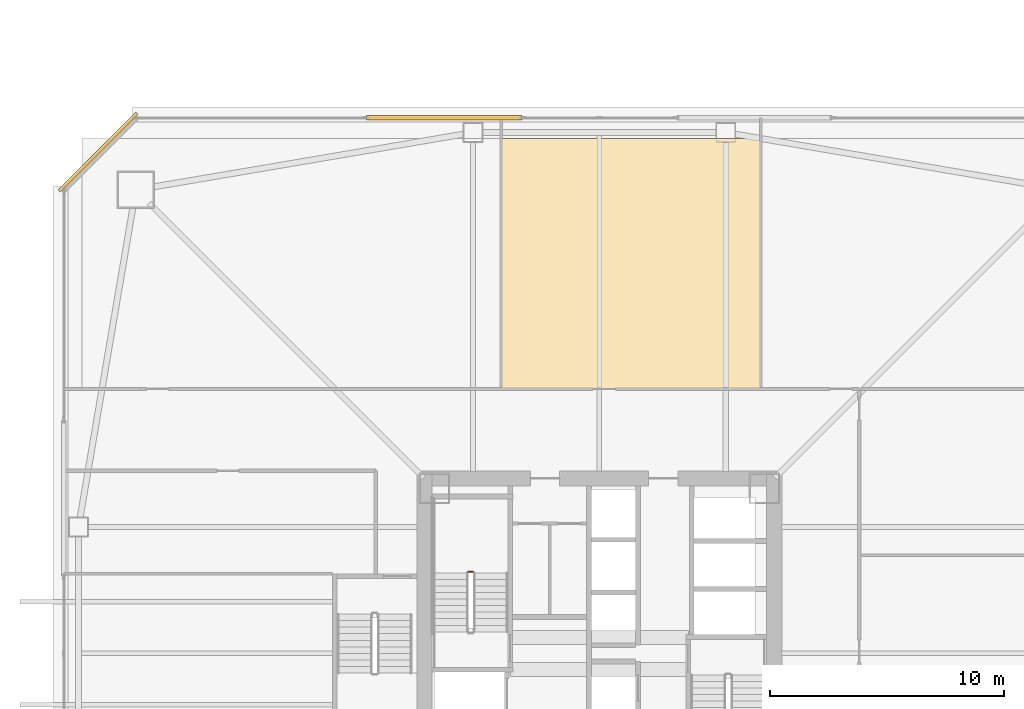
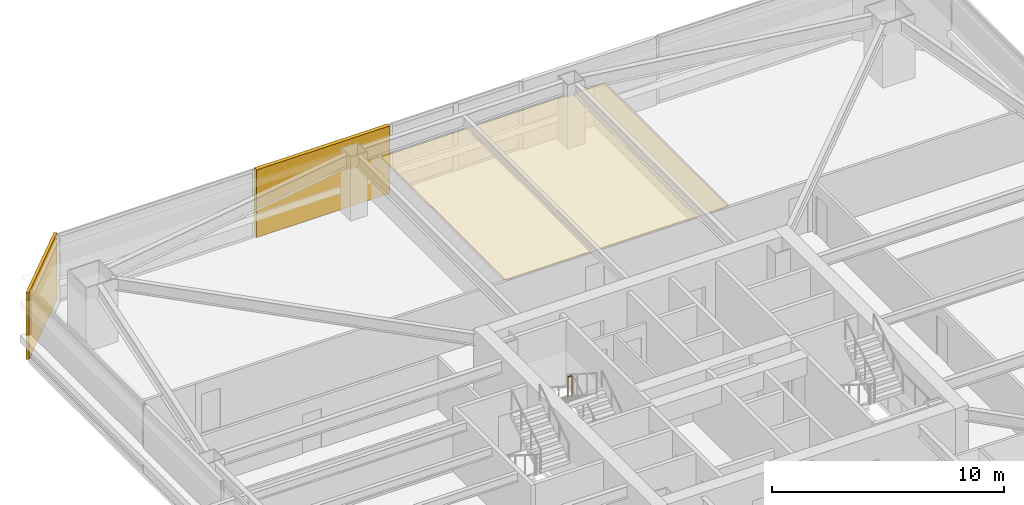
# One storey, part 42 of 46: 3 coverings, 1 railing.
"""IFC4 building model written with IfcOpenShell, lengths in metres."""

from ifc_helpers import new_model, si_unit, direction, frame, origin, origin_2d, place, context, subcontext, project, spatial, polyline, rectangle, outline, extrude, material, layer, layer_set, type_object, element, save


model = new_model("IFC4")

# Units and contexts
model_context = context("Model", 3, precision=1e-05, world=origin(), true_north=direction((0.0, 1.0)))
body_context = subcontext(model_context, "Body", "Model", "MODEL_VIEW")
ifc_project = project(units=[si_unit("LENGTHUNIT", "METRE"), si_unit("AREAUNIT", "SQUARE_METRE"), si_unit("VOLUMEUNIT", "CUBIC_METRE"), si_unit("PLANEANGLEUNIT", "RADIAN"), si_unit("MASSUNIT", "GRAM", prefix="KILO")], contexts=[model_context])

# Site, building, storey
site_placement = place(None, origin())
site = spatial("IfcSite", under=ifc_project, at=site_placement, CompositionType="ELEMENT")
building_placement = place(site_placement, origin())
building = spatial("IfcBuilding", under=site, at=building_placement, Name="Tashvorn Skyway Center", CompositionType="ELEMENT")
storey_placement = place(building_placement, frame((0.0, 0.0, 38.800048828125)))
storey = spatial("IfcBuildingStorey", under=building, at=storey_placement, Name="L09", CompositionType="ELEMENT", Elevation=38.800048828125)

# Coverings
ifc_material_1 = material(Name="Precast concrete C40/50", Category="concrete")
ifc_layer_1 = layer(ifc_material_1, 0.199951171875)
ifc_layer_set_1 = layer_set([ifc_layer_1], Name="Precast concrete C40/50")
covering_type_1 = type_object("IfcCoveringType", Name="COV-BRACE-CLAD", PredefinedType="CLADDING", material=ifc_layer_set_1)
covering_1_placement = place(storey_placement, frame((35.373291015625, 54.8798828125, 0.0), z_axis=(0.0, 0.0, 1.0), x_axis=(1.0, 0.0, 0.0)))
element("IfcCovering", 1, at=covering_1_placement, inside=storey, type_object=covering_type_1, Name="Tower 1 L09 North Unitised Curtain Wall Mega-Brace Cladding Band 1", PredefinedType="CLADDING", context=body_context, shape_type="SweptSolid", body=[
    extrude(rectangle(XDim=6.626708984375, YDim=0.199951171875, at=origin_2d()), origin(), (0.0, 0.0, 1.0), 3.550048828125),
])
ifc_material_2 = material(Name="Mineral-fibre acoustic ceiling tile on suspended grid")
ifc_layer_2 = layer(ifc_material_2, 0.02001953125)
ifc_layer_set_2 = layer_set([ifc_layer_2], Name="Mineral-fibre acoustic ceiling tile on suspended grid")
covering_type_2 = type_object("IfcCoveringType", Name="COV-CEIL-20", PredefinedType="CEILING", material=ifc_layer_set_2)
covering_2_placement = place(storey_placement, frame((0.0, 0.0, 2.682861328125)))
element("IfcCovering", 2, at=covering_2_placement, inside=storey, type_object=covering_type_2, Name="Tower 1 L09 Operations Control Room Acoustic Ceiling", PredefinedType="CEILING", context=body_context, shape_type="SweptSolid", body=[
    extrude(outline(polyline([(37.800048828125, 43.300048828125), (48.89990234375, 43.300048828125), (48.89990234375, 54.0), (37.800048828125, 54.0), (37.800048828125, 43.300048828125)])), origin(), (0.0, 0.0, 1.0), 0.02001953125),
])
ifc_layer_3 = layer(ifc_material_1, 0.35009765625)
ifc_layer_set_3 = layer_set([ifc_layer_3], Name="Precast concrete C40/50")
covering_type_3 = type_object("IfcCoveringType", Name="COV-STONE-TRIM", PredefinedType="CLADDING", material=ifc_layer_set_3)
covering_3_placement = place(storey_placement, frame((20.580078125, 53.419921875, 0.02001953125), z_axis=(0.0, 0.0, 1.0), x_axis=(-0.707106781187, -0.707106781187, 0.0)))
element("IfcCovering", 3, at=covering_3_placement, inside=storey, type_object=covering_type_3, Name="Tower 1 L09 NW Mojave Limestone Corner Quoin", PredefinedType="CLADDING", context=body_context, shape_type="SweptSolid", body=[
    extrude(rectangle(XDim=4.685546875, YDim=0.139892578125, at=origin_2d()), origin(), (0.0, 0.0, 1.0), 3.510009765625),
])

# Railing
ifc_material_3 = material(Name="Painted galvanized steel S355", Category="steel")
railing_type = type_object("IfcRailingType", Name="RAIL-STGUARD-1100", PredefinedType="GUARDRAIL", material=ifc_material_3)
railing_placement = place(storey_placement, frame((36.60009765625, 35.489990234375, 1.77490234375)))
element("IfcRailing", 4, at=railing_placement, inside=storey, type_object=railing_type, Name="L09 ST-T1-1 stair guard 2", PredefinedType="GUARDRAIL", context=body_context, shape_type="SweptSolid", body=[
    extrude(rectangle(XDim=0.048095703125, YDim=0.048095703125, at=origin_2d()), frame((0.0, 0.0, 1.076171875), z_axis=(-1.0, 0.0, 0.0), x_axis=(0.0, -1.0, 0.0)), (0.0, 0.0, 1.0), 0.2001953125),
    extrude(rectangle(XDim=0.0419921875, YDim=0.0419921875, at=origin_2d()), origin(), (0.0, 0.0, 1.0), 1.052001953125),
    extrude(rectangle(XDim=0.0419921875, YDim=0.0419921875, at=origin_2d()), frame((-0.2001953125, 0.0, 0.0)), (0.0, 0.0, 1.0), 1.052001953125),
])

save(model, "model.ifc")
